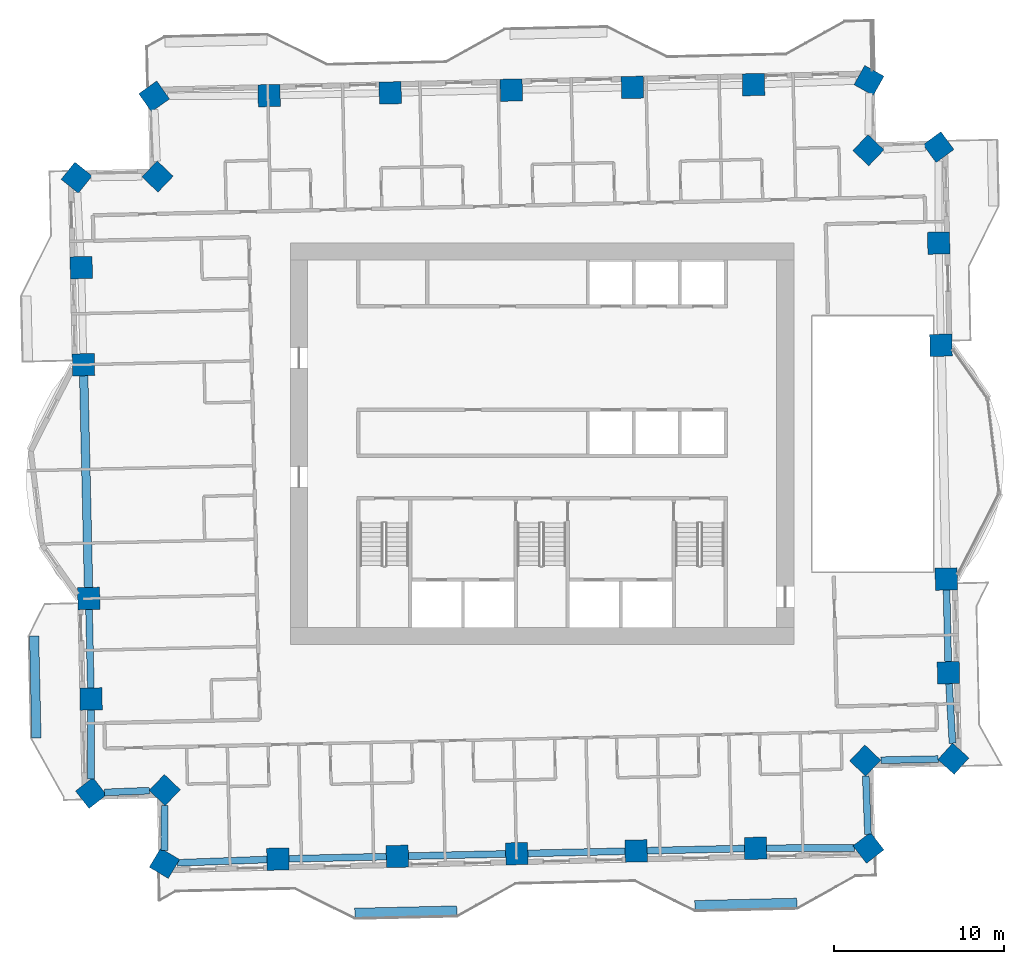
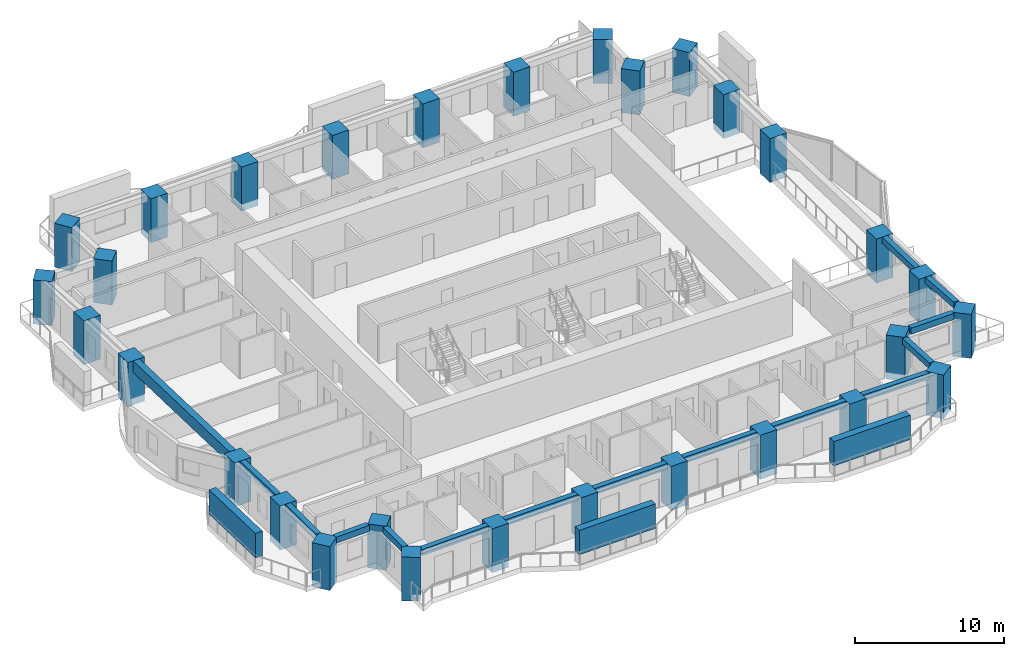
# One storey, part 1 of 16: 30 columns, 15 beams, 3 members.
"""IFC4 building model written with IfcOpenShell, lengths in metres."""

import ifcopenshell
import ifcopenshell.guid

model = None  # the IFC model being written
_history = None  # IfcOwnerHistory: only IFC2X3 demands one
_inside = {}  # id of a spatial element -> (the spatial element, [elements in it])
_under = {}  # id of a project, library or spatial element -> (it, [spatial elements below it])
_declared = {}  # id of a project -> (the project, [libraries it declares])
_typed = {}  # id of a type object -> (the type object, [elements of that type])
_made_of = {}  # id of a material, layer set ... -> (it, [elements and type objects made of it])


def new_model(schema):
    """Start an empty IFC model of exactly this schema.

    Asked for "IFC4X3", IfcOpenShell would pick the latest addendum, in which some entities
    have other attributes; the version numbers below select the first issue.
    IFC2X3 requires an IfcOwnerHistory on every rooted entity: one is made here for all.
    """
    global model, _history
    if schema == "IFC4X3":
        model = ifcopenshell.file(schema_version=(4, 3, 0, 0))
    else:
        model = ifcopenshell.file(schema=schema)
    _inside.clear()
    _under.clear()
    _declared.clear()
    _typed.clear()
    _made_of.clear()
    _history = None
    if model.schema == "IFC2X3":
        org = make("IfcOrganization", Name="unknown")
        user = make(
            "IfcPersonAndOrganization",
            ThePerson=make("IfcPerson", FamilyName="unknown"),
            TheOrganization=org,
        )
        app = make(
            "IfcApplication",
            ApplicationDeveloper=org,
            Version="unknown",
            ApplicationFullName="unknown",
            ApplicationIdentifier="unknown",
        )
        _history = make(
            "IfcOwnerHistory",
            OwningUser=user,
            OwningApplication=app,
            ChangeAction="ADDED",
            CreationDate=0,
        )
    return model


def make(cls, **values):
    """One entity of the class cls with the attributes given. An attribute that is None is left unset."""
    return model.create_entity(
        cls, **{name: value for name, value in values.items() if value is not None}
    )


def rooted(cls, **values):
    """An entity with a GlobalId (a new one), such as an element, a storey or a relation."""
    return make(cls, GlobalId=ifcopenshell.guid.new(), OwnerHistory=_history, **values)


def si_unit(unit_type, name, prefix=None):
    """IfcSIUnit, for example si_unit("LENGTHUNIT", "METRE", prefix="MILLI")."""
    return make("IfcSIUnit", UnitType=unit_type, Prefix=prefix, Name=name)


def assignment(units):
    """IfcUnitAssignment: the units of a project."""
    return None if units is None else make("IfcUnitAssignment", Units=units)


def point(xyz):
    """IfcCartesianPoint."""
    return None if xyz is None else make("IfcCartesianPoint", Coordinates=xyz)


def direction(xyz):
    """IfcDirection."""
    return None if xyz is None else make("IfcDirection", DirectionRatios=xyz)


def frame(location, z_axis=None, x_axis=None):
    """IfcAxis2Placement3D, a coordinate frame: its origin and axes. An axis left out is left unset."""
    return make(
        "IfcAxis2Placement3D",
        Location=point(location),
        Axis=direction(z_axis),
        RefDirection=direction(x_axis),
    )


def frame_2d(location, x_axis=None):
    """IfcAxis2Placement2D, a coordinate frame in the plane: its origin and x axis."""
    return make(
        "IfcAxis2Placement2D", Location=point(location), RefDirection=direction(x_axis)
    )


def origin():
    """The frame at (0, 0, 0) with its axes left unset."""
    return frame((0.0, 0.0, 0.0))


def origin_2d():
    """The frame at (0, 0) in the plane with its x axis left unset."""
    return frame_2d((0.0, 0.0))


def place(relative_to, where):
    """IfcLocalPlacement: puts the frame where relative to a parent placement (None: the world)."""
    return make(
        "IfcLocalPlacement", PlacementRelTo=relative_to, RelativePlacement=where
    )


def context(
    kind, dimensions, precision=None, world=None, true_north=None, identifier=None
):
    """IfcGeometricRepresentationContext, for example the 3D "Model" context."""
    return make(
        "IfcGeometricRepresentationContext",
        ContextIdentifier=identifier,
        ContextType=kind,
        CoordinateSpaceDimension=dimensions,
        Precision=precision,
        WorldCoordinateSystem=world,
        TrueNorth=true_north,
    )


def subcontext(parent, identifier, kind, view, scale=None):
    """IfcGeometricRepresentationSubContext, for example "Body" below "Model"."""
    return make(
        "IfcGeometricRepresentationSubContext",
        ContextIdentifier=identifier,
        ContextType=kind,
        ParentContext=parent,
        TargetScale=scale,
        TargetView=view,
    )


def project(units=None, contexts=None):
    """IfcProject with its units and contexts."""
    return rooted(
        "IfcProject",
        Name="project",
        RepresentationContexts=contexts,
        UnitsInContext=assignment(units),
    )


def spatial(cls, under=None, at=None, **own):
    """A site, building, storey or space (cls), placed at a placement, below another one or the project."""
    s = rooted(cls, ObjectPlacement=at, **own)
    if under is not None:
        _under.setdefault(under.id(), (under, []))[1].append(s)
    return s


def profile(cls, at=None, kind="AREA", **sizes):
    """A parametric profile (cls). Its sizes go by their IFC names, for example OverallWidth=200.0."""
    return make(cls, ProfileType=kind, Position=at, **sizes)


def rectangle(**sizes):
    """IfcRectangleProfileDef."""
    return profile("IfcRectangleProfileDef", **sizes)


def extrude(swept, where, along, depth):
    """IfcExtrudedAreaSolid: the profile swept, set in the frame where, extruded along a direction by depth."""
    return make(
        "IfcExtrudedAreaSolid",
        SweptArea=swept,
        Position=where,
        ExtrudedDirection=direction(along),
        Depth=depth,
    )


def shape(context_of_items, identifier, shape_type, items):
    """IfcShapeRepresentation: the items that make up one representation, for example the "Body"."""
    return make(
        "IfcShapeRepresentation",
        ContextOfItems=context_of_items,
        RepresentationIdentifier=identifier,
        RepresentationType=shape_type,
        Items=items,
    )


def material(Name=None, Category=None):
    """IfcMaterial."""
    return make("IfcMaterial", Name=Name, Category=Category)


def material_profile(
    of_material, cross_section, Name=None, Category=None, Priority=None
):
    """IfcMaterialProfile: a cross section and its material."""
    return make(
        "IfcMaterialProfile",
        Name=Name,
        Material=of_material,
        Profile=cross_section,
        Priority=Priority,
        Category=Category,
    )


def profile_set(profiles, Name=None, composite=None):
    """IfcMaterialProfileSet."""
    return make(
        "IfcMaterialProfileSet",
        Name=Name,
        MaterialProfiles=profiles,
        CompositeProfile=composite,
    )


def made_of(thing, what):
    """Note that an element or type object is made of a material, layer set ...; save() writes the relation."""
    if what is not None:
        _made_of.setdefault(what.id(), (what, []))[1].append(thing)
    return thing


def type_object(cls, material=None, **own):
    """A type object (cls), such as IfcWallType, which elements share."""
    return made_of(rooted(cls, **own), material)


def element(
    cls,
    number,
    at=None,
    inside=None,
    cuts=None,
    type_object=None,
    material=None,
    context=None,
    identifier="Body",
    shape_type=None,
    held_by="IfcProductDefinitionShape",
    body=None,
    shapes=None,
    **own,
):
    """One element of the class cls, such as IfcWall. Its Tag is "e" and its number.

    at: its placement. inside: the storey or other place that contains it. cuts: it is an
    opening in that element (IfcRelVoidsElement). A single representation is given by context,
    identifier, shape_type and body (its items); several are given by shapes. held_by: the class
    of the entity that holds the representations. save() writes the other relations.
    """
    e = rooted(cls, Tag="e%d" % number, ObjectPlacement=at, **own)
    if body is not None:
        shapes = [shape(context, identifier, shape_type, body)]
    if shapes is not None:
        e.Representation = make(held_by, Representations=shapes)
    if inside is not None:
        _inside.setdefault(inside.id(), (inside, []))[1].append(e)
    if cuts is not None:
        rooted(
            "IfcRelVoidsElement", RelatingBuildingElement=cuts, RelatedOpeningElement=e
        )
    if type_object is not None:
        _typed.setdefault(type_object.id(), (type_object, []))[1].append(e)
    return made_of(e, material)


def aggregate(whole, parts):
    """IfcRelAggregates: a whole, such as a stair, and the parts it consists of."""
    return rooted("IfcRelAggregates", RelatingObject=whole, RelatedObjects=parts)


def save(model, path):
    """Write the relations noted so far, then the file.

    IfcRelAggregates (storeys below a building ...), IfcRelContainedInSpatialStructure (elements
    in a storey), IfcRelDefinesByType, IfcRelAssociatesMaterial and IfcRelDeclares: one each for
    every whole, place, type object, material and project.
    """
    for whole, parts in _under.values():
        aggregate(whole, parts)
    for where, things in _inside.values():
        rooted(
            "IfcRelContainedInSpatialStructure",
            RelatedElements=things,
            RelatingStructure=where,
        )
    for kind, things in _typed.values():
        rooted("IfcRelDefinesByType", RelatedObjects=things, RelatingType=kind)
    for what, things in _made_of.values():
        rooted("IfcRelAssociatesMaterial", RelatedObjects=things, RelatingMaterial=what)
    for by, libraries in _declared.values():
        rooted("IfcRelDeclares", RelatingContext=by, RelatedDefinitions=libraries)
    model.write(path)


model = new_model("IFC4")

# Units and contexts
model_context = context("Model", 3, precision=1e-05, world=origin(), true_north=direction((0.0, 1.0)))
body_context = subcontext(model_context, "Body", "Model", "MODEL_VIEW")
ifc_project = project(units=[si_unit("LENGTHUNIT", "METRE"), si_unit("AREAUNIT", "SQUARE_METRE"), si_unit("VOLUMEUNIT", "CUBIC_METRE"), si_unit("PLANEANGLEUNIT", "RADIAN"), si_unit("MASSUNIT", "GRAM", prefix="KILO")], contexts=[model_context])

# Site, building, storey
site_placement = place(None, origin())
site = spatial("IfcSite", under=ifc_project, at=site_placement, CompositionType="ELEMENT")
building_placement = place(site_placement, origin())
building = spatial("IfcBuilding", under=site, at=building_placement, Name="Mangrove Gate Tower", CompositionType="ELEMENT")
storey_placement = place(building_placement, frame((0.0, 0.0, 137.300048828125)))
storey = spatial("IfcBuildingStorey", under=building, at=storey_placement, Name="L34", CompositionType="ELEMENT", Elevation=137.300048828125)

# Columns
ifc_material_1 = material(Name="Concrete C70/85", Category="concrete")
ifc_material_profile_1 = material_profile(ifc_material_1, rectangle(XDim=1.300048828125, YDim=1.300048828125, at=origin_2d()))
ifc_profile_set_1 = profile_set([ifc_material_profile_1], Name="Concrete C70/85")
column_type = type_object("IfcColumnType", Name="Column RC 1300x1300 C70/85", PredefinedType="COLUMN", material=ifc_profile_set_1)
for number, where, z_axis, x_axis, name in (
    (1, (-26.6591796875, -9.09619140625, -0.550048828125), (0.0, 0.0, 1.0), (0.02268213383, -0.999742727308, 0.0), "Column L34 W05"),
    (2, (-26.525146484375, -15.00634765625, -0.550048828125), (0.0, 0.0, 1.0), (0.022665697055, -0.99974310009, 0.0), "Column L34 W06"),
    (3, (-26.528564453125, -20.5322265625, -0.550048828125), (0.0, 0.0, 1.0), (0.61506722308, -0.788474673717, 0.0), "Column L34 W07"),
    (4, (-22.19287109375, -20.362060546875, -0.550048828125), (0.0, 0.0, 1.0), (0.722994264183, -0.690854032309, 0.0), "Column L34 W08"),
    (5, (-22.20947265625, -24.67236328125, -0.550048828125), (0.0, 0.0, 1.0), (0.859255009234, -0.511547484704, 0.0), "Column L34 S01"),
    (6, (-15.53466796875, -24.422119140625, -0.550048828125), (0.0, 0.0, 1.0), (0.999742129581, 0.022708464065, 0.0), "Column L34 S02"),
    (7, (-8.5126953125, -24.26220703125, -0.550048828125), (0.0, 0.0, 1.0), (0.999742129581, 0.022708464065, 0.0), "Column L34 S03"),
    (8, (-1.49072265625, -24.103271484375, -0.550048828125), (0.0, 0.0, 1.0), (0.999743742918, 0.022637325283, 0.0), "Column L34 S04"),
    (9, (5.53125, -23.944091796875, -0.550048828125), (0.0, 0.0, 1.0), (0.999742166043, 0.022706858776, 0.0), "Column L34 S05"),
    (10, (12.55419921875, -23.7841796875, -0.550048828125), (0.0, 0.0, 1.0), (0.999742166043, 0.022706858776, 0.0), "Column L34 S06"),
    (11, (19.1923828125, -23.761474609375, -0.550048828125), (0.0, 0.0, 1.0), (0.790004884924, 0.613100547868, 0.0), "Column L34 S07"),
    (12, (19.0029296875, -18.626953125, -0.550048828125), (0.0, 0.0, 1.0), (0.690808805786, 0.723037477485, 0.0), "Column L34 E01"),
    (13, (24.188232421875, -18.522705078125, -0.550048828125), (0.0, 0.0, 1.0), (0.6695332885, 0.742782051204, 0.0), "Column L34 E02"),
    (14, (23.896240234375, -13.462646484375, -0.550048828125), (0.0, 0.0, 1.0), (-0.022678138054, 0.999742817956, 0.0), "Column L34 E03"),
    (15, (23.771240234375, -7.95166015625, -0.550048828125), (0.0, 0.0, 1.0), (-0.022684855843, 0.999742665547, 0.0), "Column L34 E04"),
    (16, (23.459228515625, 5.79638671875, -0.550048828125), (0.0, 0.0, 1.0), (-0.022668541211, 0.999743035604, 0.0), "Column L34 E05"),
    (17, (23.3232421875, 11.806396484375, -0.550048828125), (0.0, 0.0, 1.0), (-0.022621272366, 0.999744106277, 0.0), "Column L34 E06"),
    (18, (23.312744140625, 17.44775390625, -0.550048828125), (0.0, 0.0, 1.0), (-0.591062165958, 0.806626007498, 0.0), "Column L34 E07"),
    (19, (19.18896484375, 17.26708984375, -0.550048828125), (0.0, 0.0, 1.0), (-0.723000027728, 0.69084800058, 0.0), "Column L34 E08"),
    (20, (19.224609375, 21.36865234375, -0.550048828125), (0.0, 0.0, 1.0), (-0.872767754736, 0.488135684307, 0.0), "Column L34 N01"),
    (21, (12.434814453125, 21.124267578125, -0.550048828125), (0.0, 0.0, 1.0), (-0.999741400599, -0.022740534932, 0.0), "Column L34 N02"),
    (22, (5.312744140625, 20.962158203125, -0.550048828125), (0.0, 0.0, 1.0), (-0.999742993665, -0.022670390785, 0.0), "Column L34 N03"),
    (23, (-1.809326171875, 20.80126953125, -0.550048828125), (0.0, 0.0, 1.0), (-0.999742993665, -0.022670390785, 0.0), "Column L34 N04"),
    (24, (-8.93115234375, 20.63916015625, -0.550048828125), (0.0, 0.0, 1.0), (-0.999742993665, -0.022670390785, 0.0), "Column L34 N05"),
    (25, (-16.05322265625, 20.478271484375, -0.550048828125), (0.0, 0.0, 1.0), (-0.99974302967, -0.022668802943, 0.0), "Column L34 N06"),
    (26, (-22.815673828125, 20.435302734375, -0.550048828125), (0.0, 0.0, 1.0), (-0.816422336204, -0.577455252766, 0.0), "Column L34 N07"),
    (27, (-22.612060546875, 15.718017578125, -0.550048828125), (0.0, 0.0, 1.0), (-0.690868038859, -0.722980880026, 0.0), "Column L34 W01"),
    (28, (-27.3740234375, 15.6513671875, -0.550048828125), (0.0, 0.0, 1.0), (-0.625756852506, -0.780018180264, 0.0), "Column L34 W02"),
    (29, (-27.10107421875, 10.36181640625, -0.550048828125), (0.0, 0.0, 1.0), (0.022759187673, -0.999740976142, 0.0), "Column L34 W03"),
    (30, (-26.97119140625, 4.65185546875, -0.550048828125), (0.0, 0.0, 1.0), (0.022709737827, -0.999742100648, 0.0), "Column L34 W04"),
):
    element("IfcColumn", number, at=place(storey_placement, frame(where, z_axis=z_axis, x_axis=x_axis)), inside=storey, type_object=column_type, Name=name, PredefinedType="COLUMN", context=body_context, shape_type="SweptSolid", body=[
        extrude(rectangle(XDim=1.300048828125, YDim=1.300048828125, at=origin_2d()), origin(), (0.0, 0.0, 1.0), 3.60009765625),
    ])

# Members
ifc_material_2 = material(Name="Planting on aluminium trellis", Category="aluminium")
ifc_material_profile_2 = material_profile(ifc_material_2, rectangle(XDim=0.550048828125, YDim=2.0, at=origin_2d()))
ifc_profile_set_2 = profile_set([ifc_material_profile_2], Name="Planting on aluminium trellis")
member_type = type_object("IfcMemberType", Name="Balcony greenery screen 550x2000", PredefinedType="USERDEFINED", material=ifc_profile_set_2)
for number, where, z_axis, x_axis, name in (
    (31, (-29.739013671875, -17.29296875, 1.800048828125), (-0.022662255828, 0.999743178102, 0.0), (-0.999743178102, -0.022662255828, 0.0), "GREEN SCREEN L34 W1.1"),
    (32, (-11.013916015625, -27.5849609375, 1.800048828125), (0.999743178102, 0.022662255828, 0.0), (-0.022662255828, 0.999743178102, 0.0), "GREEN SCREEN L34 S0.1"),
    (33, (8.98095703125, -27.131103515625, 1.800048828125), (0.999743178102, 0.022662255828, 0.0), (-0.022662255828, 0.999743178102, 0.0), "GREEN SCREEN L34 S1.1"),
):
    element("IfcMember", number, at=place(storey_placement, frame(where, z_axis=z_axis, x_axis=x_axis)), inside=storey, type_object=member_type, Name=name, ObjectType="PLANTING", PredefinedType="USERDEFINED", context=body_context, shape_type="SweptSolid", body=[
        extrude(rectangle(XDim=0.550048828125, YDim=2.0, at=origin_2d()), origin(), (0.0, 0.0, 1.0), 6.00048828125),
    ])

# Beams
ifc_material_3 = material(Name="Concrete C50/60", Category="concrete")
ifc_material_profile_3 = material_profile(ifc_material_3, rectangle(XDim=0.39990234375, YDim=0.5, at=origin_2d()))
ifc_profile_set_3 = profile_set([ifc_material_profile_3], Name="Concrete C50/60")
beam_type_1 = type_object("IfcBeamType", Name="Edge beam RC 400x500 C50/60", PredefinedType="BEAM", material=ifc_profile_set_3)
beam_1_placement = place(storey_placement, frame((-26.64453125, -9.74609375, 2.800048828125), z_axis=(0.022711784645, -0.999742054151, 0.0), x_axis=(0.999742054151, 0.022711784645, 0.0)))
element("IfcBeam", 34, at=beam_1_placement, inside=storey, type_object=beam_type_1, Name="Edge beam L34 00", PredefinedType="BEAM", context=body_context, shape_type="SweptSolid", body=[
    extrude(rectangle(XDim=0.39990234375, YDim=0.5, at=origin_2d()), origin(), (0.0, 0.0, 1.0), 4.611572265625),
])
beam_2_placement = place(storey_placement, frame((-26.525634765625, -15.656494140625, 2.800048828125), z_axis=(-0.000602663664, -0.999999818398, 0.0), x_axis=(0.999999818398, -0.000602663664, 0.0)))
element("IfcBeam", 35, at=beam_2_placement, inside=storey, type_object=beam_type_1, Name="Edge beam L34 01", PredefinedType="BEAM", context=body_context, shape_type="SweptSolid", body=[
    extrude(rectangle(XDim=0.39990234375, YDim=0.5, at=origin_2d()), origin(), (0.0, 0.0, 1.0), 4.051025390625),
])
beam_3_placement = place(storey_placement, frame((-25.728515625, -20.500732421875, 2.800048828125), z_axis=(0.999231025302, 0.039209158043, 0.0), x_axis=(-0.039209158043, 0.999231025302, 0.0)))
element("IfcBeam", 36, at=beam_3_placement, inside=storey, type_object=beam_type_1, Name="Edge beam L34 02", PredefinedType="BEAM", context=body_context, shape_type="SweptSolid", body=[
    extrude(rectangle(XDim=0.39990234375, YDim=0.5, at=origin_2d()), origin(), (0.0, 0.0, 1.0), 2.6337890625),
])
beam_4_placement = place(storey_placement, frame((-22.1962890625, -21.2578125, 2.800048828125), z_axis=(-0.003854950704, -0.99999256965, 0.0), x_axis=(0.99999256965, -0.003854950704, 0.0)))
element("IfcBeam", 37, at=beam_4_placement, inside=storey, type_object=beam_type_1, Name="Edge beam L34 03", PredefinedType="BEAM", context=body_context, shape_type="SweptSolid", body=[
    extrude(rectangle(XDim=0.39990234375, YDim=0.5, at=origin_2d()), origin(), (0.0, 0.0, 1.0), 2.659912109375),
])
beam_5_placement = place(storey_placement, frame((-21.435791015625, -24.6435546875, 2.800048828125), z_axis=(0.999296963169, 0.037491057614, 0.0), x_axis=(-0.037491057614, 0.999296963169, 0.0)))
element("IfcBeam", 38, at=beam_5_placement, inside=storey, type_object=beam_type_1, Name="Edge beam L34 04", PredefinedType="BEAM", context=body_context, shape_type="SweptSolid", body=[
    extrude(rectangle(XDim=0.39990234375, YDim=0.5, at=origin_2d()), origin(), (0.0, 0.0, 1.0), 5.255126953125),
])
for number, where, z_axis, x_axis, name in (
    (39, (-14.885009765625, -24.407470703125, 2.800048828125), (0.999739606731, 0.022819262324, 0.0), (-0.022819262324, 0.999739606731, 0.0), "Edge beam L34 05"),
    (40, (-7.863037109375, -24.24755859375, 2.800048828125), (0.999743484414, 0.022648738864, 0.0), (-0.022648738864, 0.999743484414, 0.0), "Edge beam L34 06"),
):
    element("IfcBeam", number, at=place(storey_placement, frame(where, z_axis=z_axis, x_axis=x_axis)), inside=storey, type_object=beam_type_1, Name=name, PredefinedType="BEAM", context=body_context, shape_type="SweptSolid", body=[
        extrude(rectangle(XDim=0.39990234375, YDim=0.5, at=origin_2d()), origin(), (0.0, 0.0, 1.0), 5.723876953125),
    ])
beam_6_placement = place(storey_placement, frame((-0.8408203125, -24.08837890625, 2.800048828125), z_axis=(0.999744427496, 0.022607071703, 0.0), x_axis=(-0.022607071703, 0.999744427496, 0.0)))
element("IfcBeam", 41, at=beam_6_placement, inside=storey, type_object=beam_type_1, Name="Edge beam L34 07", PredefinedType="BEAM", context=body_context, shape_type="SweptSolid", body=[
    extrude(rectangle(XDim=0.39990234375, YDim=0.5, at=origin_2d()), origin(), (0.0, 0.0, 1.0), 5.7236328125),
])
beam_7_placement = place(storey_placement, frame((6.18115234375, -23.929443359375, 2.800048828125), z_axis=(0.999740645245, 0.022773718307, 0.0), x_axis=(-0.022773718307, 0.999740645245, 0.0)))
element("IfcBeam", 42, at=beam_7_placement, inside=storey, type_object=beam_type_1, Name="Edge beam L34 08", PredefinedType="BEAM", context=body_context, shape_type="SweptSolid", body=[
    extrude(rectangle(XDim=0.39990234375, YDim=0.5, at=origin_2d()), origin(), (0.0, 0.0, 1.0), 5.724609375),
])
beam_8_placement = place(storey_placement, frame((13.204345703125, -23.781982421875, 2.800048828125), z_axis=(0.99999421433, 0.003401662262, 0.0), x_axis=(-0.003401662262, 0.99999421433, 0.0)))
element("IfcBeam", 43, at=beam_8_placement, inside=storey, type_object=beam_type_1, Name="Edge beam L34 09", PredefinedType="BEAM", context=body_context, shape_type="SweptSolid", body=[
    extrude(rectangle(XDim=0.39990234375, YDim=0.5, at=origin_2d()), origin(), (0.0, 0.0, 1.0), 5.16748046875),
])
beam_9_placement = place(storey_placement, frame((19.1630859375, -22.961669921875, 2.800048828125), z_axis=(-0.036930074428, 0.999317852139, 0.0), x_axis=(-0.999317852139, -0.036930074428, 0.0)))
element("IfcBeam", 44, at=beam_9_placement, inside=storey, type_object=beam_type_1, Name="Edge beam L34 10", PredefinedType="BEAM", context=body_context, shape_type="SweptSolid", body=[
    extrude(rectangle(XDim=0.39990234375, YDim=0.5, at=origin_2d()), origin(), (0.0, 0.0, 1.0), 3.43115234375),
])
beam_10_placement = place(storey_placement, frame((19.919677734375, -18.608642578125, 2.800048828125), z_axis=(0.999798119062, 0.020092812629, 0.0), x_axis=(-0.020092812629, 0.999798119062, 0.0)))
element("IfcBeam", 45, at=beam_10_placement, inside=storey, type_object=beam_type_1, Name="Edge beam L34 11", PredefinedType="BEAM", context=body_context, shape_type="SweptSolid", body=[
    extrude(rectangle(XDim=0.39990234375, YDim=0.5, at=origin_2d()), origin(), (0.0, 0.0, 1.0), 3.3779296875),
])
beam_11_placement = place(storey_placement, frame((24.135498046875, -17.6103515625, 2.800048828125), z_axis=(-0.0576192371, 0.998338631686, 0.0), x_axis=(-0.998338631686, -0.0576192371, 0.0)))
element("IfcBeam", 46, at=beam_11_placement, inside=storey, type_object=beam_type_1, Name="Edge beam L34 12", PredefinedType="BEAM", context=body_context, shape_type="SweptSolid", body=[
    extrude(rectangle(XDim=0.39990234375, YDim=0.5, at=origin_2d()), origin(), (0.0, 0.0, 1.0), 3.504150390625),
])
beam_12_placement = place(storey_placement, frame((23.88134765625, -12.81298828125, 2.800048828125), z_axis=(-0.022660846095, 0.999743210057, 0.0), x_axis=(-0.999743210057, -0.022660846095, 0.0)))
element("IfcBeam", 47, at=beam_12_placement, inside=storey, type_object=beam_type_1, Name="Edge beam L34 13", PredefinedType="BEAM", context=body_context, shape_type="SweptSolid", body=[
    extrude(rectangle(XDim=0.39990234375, YDim=0.5, at=origin_2d()), origin(), (0.0, 0.0, 1.0), 4.21240234375),
])
ifc_material_4 = material(Name="Concrete C50/60", Category="concrete")
ifc_material_profile_4 = material_profile(ifc_material_4, rectangle(XDim=0.5, YDim=0.949951171875, at=origin_2d()))
ifc_profile_set_4 = profile_set([ifc_material_profile_4], Name="Concrete C50/60")
beam_type_2 = type_object("IfcBeamType", Name="Edge beam RC 500x950 C50/60", PredefinedType="BEAM", material=ifc_profile_set_4)
beam_13_placement = place(storey_placement, frame((-26.95654296875, 4.001953125, 2.574951171875), z_axis=(0.022704926143, -0.999742209937, 0.0), x_axis=(0.999742209937, 0.022704926143, 0.0)))
element("IfcBeam", 48, at=beam_13_placement, inside=storey, type_object=beam_type_2, Name="Edge beam L34 29", PredefinedType="BEAM", context=body_context, shape_type="SweptSolid", body=[
    extrude(rectangle(XDim=0.5, YDim=0.949951171875, at=origin_2d()), origin(), (0.0, 0.0, 1.0), 12.45166015625),
])

save(model, "model.ifc")
